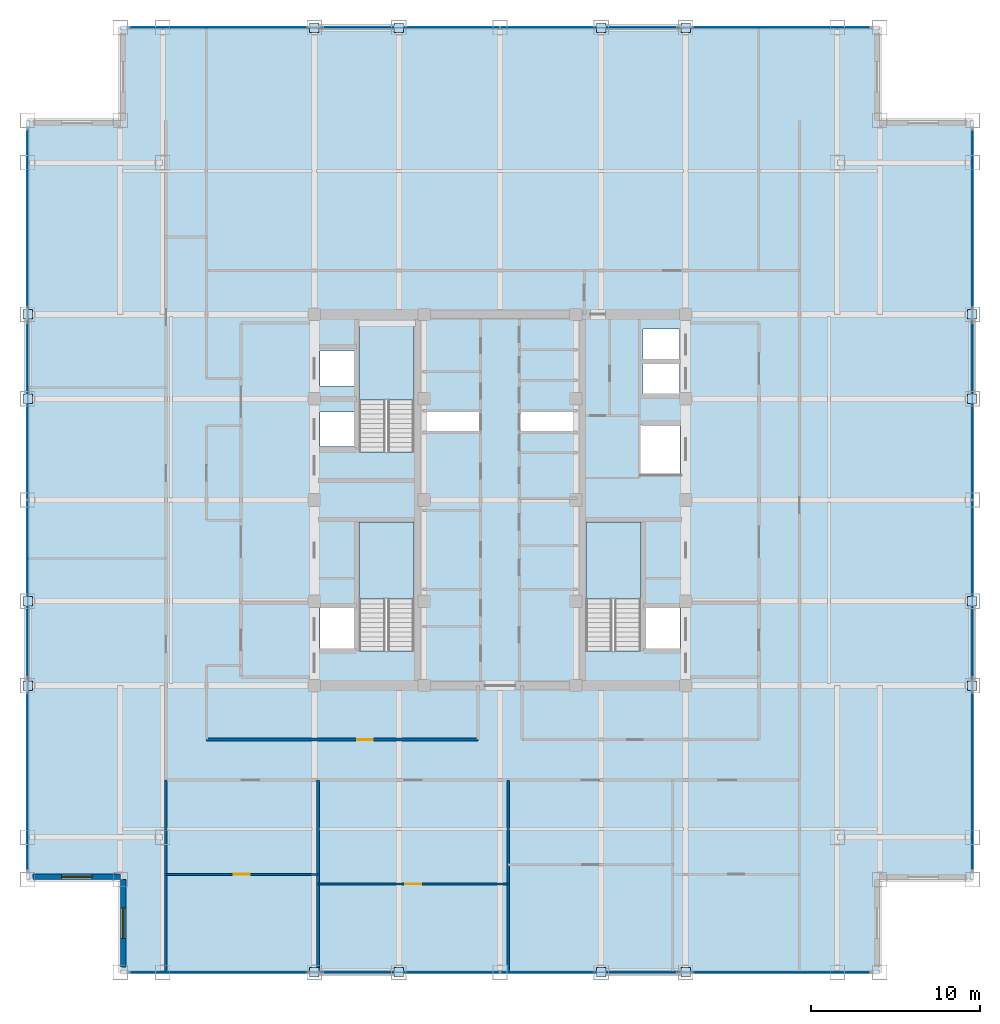
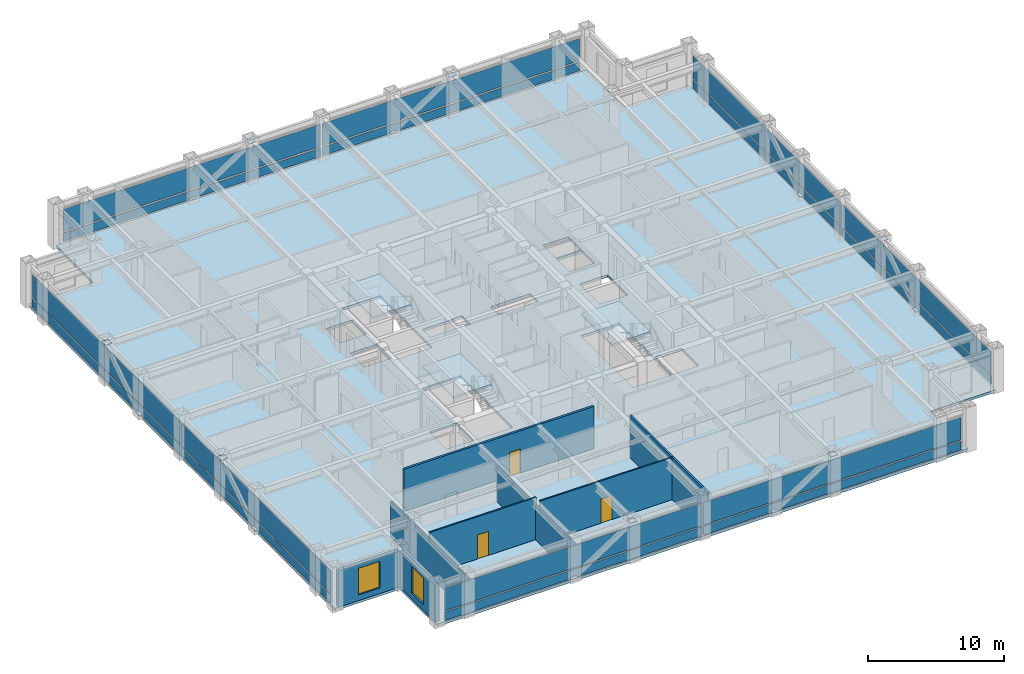
# One storey, part 17 of 22: 32 plates, 8 walls, 4 slabs, 3 doors, 2 windows, 5 openings, 7 elements without a shape of their own.
"""IFC4 building model written with IfcOpenShell, lengths in metres."""

from ifc_helpers import new_model, si_unit, direction, frame, frame_2d, origin, origin_2d, place, context, subcontext, project, spatial, polyline, rectangle, outline, extrude, source, transform, mapped, material, layer, layer_set, type_object, element, fill, aggregate, save


model = new_model("IFC4")

# Units and contexts
model_context = context("Model", 3, precision=1e-05, world=origin(), true_north=direction((0.0, 1.0)))
body_context = subcontext(model_context, "Body", "Model", "MODEL_VIEW")
ifc_project = project(units=[si_unit("LENGTHUNIT", "METRE"), si_unit("AREAUNIT", "SQUARE_METRE"), si_unit("VOLUMEUNIT", "CUBIC_METRE"), si_unit("PLANEANGLEUNIT", "RADIAN"), si_unit("MASSUNIT", "GRAM", prefix="KILO")], contexts=[model_context])

# Site, building, storey
site_placement = place(None, origin())
site = spatial("IfcSite", under=ifc_project, at=site_placement, CompositionType="ELEMENT")
building_placement = place(site_placement, origin())
building = spatial("IfcBuilding", under=site, at=building_placement, Name="Khorayat Bourse Tower", CompositionType="ELEMENT")
storey_placement = place(building_placement, frame((0.0, 0.0, 297.5)))
storey = spatial("IfcBuildingStorey", under=building, at=storey_placement, Name="L70", CompositionType="ELEMENT", Elevation=297.5)

# Stair, slab
ifc_material_1 = material(Name="Concrete C40/50", Category="concrete")
stair_type = type_object("IfcStairType", Name="STR-CORE-1550", PredefinedType="HALF_TURN_STAIR", material=ifc_material_1)
stair_1_placement = place(storey_placement, origin())
stair_1 = element("IfcStair", 1, at=stair_1_placement, inside=storey, type_object=stair_type, Name="L70 Exit Stair ST-1", PredefinedType="HALF_TURN_STAIR")
ifc_layer_1 = layer(ifc_material_1, 0.199951171875)
ifc_layer_set_1 = layer_set([ifc_layer_1], Name="Concrete C40/50")
slab_type_1 = type_object("IfcSlabType", Name="SLB-LANDING-200", PredefinedType="LANDING", material=ifc_layer_set_1)
slab_1_placement = place(storey_placement, frame((0.0, 0.0, 1.800048828125)))
slab_1 = element("IfcSlab", 2, at=slab_1_placement, type_object=slab_type_1, Name="ST-1 landing 1", PredefinedType="LANDING", context=body_context, shape_type="SweptSolid", body=[
    extrude(outline(polyline([(-5.10009765625, -5.8701171875), (-5.10009765625, -1.300048828125), (-8.35009765625, -1.300048828125), (-8.35009765625, -5.8701171875), (-5.10009765625, -5.8701171875)])), origin(), (0.0, 0.0, 1.0), 0.199951171875),
])
aggregate(stair_1, [slab_1])

stair_2_placement = place(storey_placement, origin())
stair_2 = element("IfcStair", 3, at=stair_2_placement, inside=storey, type_object=stair_type, Name="L70 Exit Stair ST-2", PredefinedType="HALF_TURN_STAIR")
slab_2_placement = place(storey_placement, frame((0.0, 0.0, 1.800048828125)))
slab_2 = element("IfcSlab", 4, at=slab_2_placement, type_object=slab_type_1, Name="ST-2 landing 1", PredefinedType="LANDING", context=body_context, shape_type="SweptSolid", body=[
    extrude(outline(polyline([(-5.10009765625, 5.929931640625), (-5.10009765625, 10.5), (-8.35009765625, 10.5), (-8.35009765625, 5.929931640625), (-5.10009765625, 5.929931640625)])), origin(), (0.0, 0.0, 1.0), 0.199951171875),
])
aggregate(stair_2, [slab_2])

stair_3_placement = place(storey_placement, origin())
stair_3 = element("IfcStair", 5, at=stair_3_placement, inside=storey, type_object=stair_type, Name="L70 Exit Stair ST-3", PredefinedType="HALF_TURN_STAIR")
slab_3_placement = place(storey_placement, frame((0.0, 0.0, 1.800048828125)))
slab_3 = element("IfcSlab", 6, at=slab_3_placement, type_object=slab_type_1, Name="ST-3 landing 1", PredefinedType="LANDING", context=body_context, shape_type="SweptSolid", body=[
    extrude(outline(polyline([(8.35009765625, -5.8701171875), (8.35009765625, -1.300048828125), (5.10009765625, -1.300048828125), (5.10009765625, -5.8701171875), (8.35009765625, -5.8701171875)])), origin(), (0.0, 0.0, 1.0), 0.199951171875),
])
aggregate(stair_3, [slab_3])

# Slab
ifc_layer_2 = layer(ifc_material_1, 0.219970703125)
ifc_layer_set_2 = layer_set([ifc_layer_2], Name="Concrete C40/50")
slab_type_2 = type_object("IfcSlabType", Name="SLB-OFFICE-220", PredefinedType="FLOOR", material=ifc_layer_set_2)
slab_4_placement = place(storey_placement, frame((0.0, 0.0, -0.219970703125)))
element("IfcSlab", 7, at=slab_4_placement, inside=storey, type_object=slab_type_2, Name="L70 Main Floor Slab", PredefinedType="FLOOR", context=body_context, shape_type="SweptSolid", body=[
    extrude(outline(polyline([(-22.5, -28.0), (22.5, -28.0), (22.5, -22.5), (28.0, -22.5), (28.0, 22.5), (22.5, 22.5), (22.5, 28.0), (-22.5, 28.0), (-22.5, 22.5), (-28.0, 22.5), (-28.0, -22.5), (-22.5, -22.5), (-22.5, -28.0)]), holes=[polyline([(-8.35009765625, -8.945068359375), (-5.10009765625, -8.945068359375), (-5.10009765625, -1.300048828125), (-8.35009765625, -1.300048828125), (-8.35009765625, -8.945068359375)]), polyline([(-8.35009765625, 2.85498046875), (-5.10009765625, 2.85498046875), (-5.10009765625, 10.5), (-8.35009765625, 10.5), (-8.35009765625, 2.85498046875)]), polyline([(5.10009765625, -8.945068359375), (8.35009765625, -8.945068359375), (8.35009765625, -1.300048828125), (5.10009765625, -1.300048828125), (5.10009765625, -8.945068359375)]), polyline([(-10.679931640625, 3.169921875), (-8.419921875, 3.169921875), (-8.419921875, 5.22998046875), (-10.679931640625, 5.22998046875), (-10.679931640625, 3.169921875)]), polyline([(-10.679931640625, 6.77001953125), (-8.419921875, 6.77001953125), (-8.419921875, 8.830078125), (-10.679931640625, 8.830078125), (-10.679931640625, 6.77001953125)]), polyline([(8.469970703125, 6.27001953125), (10.6298828125, 6.27001953125), (10.6298828125, 8.1298828125), (8.469970703125, 8.1298828125), (8.469970703125, 6.27001953125)]), polyline([(8.469970703125, 8.27001953125), (10.6298828125, 8.27001953125), (10.6298828125, 10.1298828125), (8.469970703125, 10.1298828125), (8.469970703125, 8.27001953125)]), polyline([(-10.679931640625, -8.929931640625), (-8.419921875, -8.929931640625), (-8.419921875, -6.3701171875), (-10.679931640625, -6.3701171875), (-10.679931640625, -8.929931640625)]), polyline([(8.419921875, -8.929931640625), (10.679931640625, -8.929931640625), (10.679931640625, -6.3701171875), (8.419921875, -6.3701171875), (8.419921875, -8.929931640625)]), polyline([(8.320068359375, 1.52001953125), (10.679931640625, 1.52001953125), (10.679931640625, 4.47998046875), (8.320068359375, 4.47998046875), (8.320068359375, 1.52001953125)]), polyline([(-4.56005859375, 4.080078125), (-1.18994140625, 4.080078125), (-1.18994140625, 5.219970703125), (-4.56005859375, 5.219970703125), (-4.56005859375, 4.080078125)]), polyline([(1.18994140625, 4.080078125), (4.56005859375, 4.080078125), (4.56005859375, 5.219970703125), (1.18994140625, 5.219970703125), (1.18994140625, 4.080078125)])]), origin(), (0.0, 0.0, 1.0), 0.219970703125),
])

# Plates
ifc_material_2 = material(Name="Steel EN 10025-2 S355J2", Category="steel")
ifc_layer_3 = layer(ifc_material_2, 0.02490234375)
ifc_layer_set_3 = layer_set([ifc_layer_3], Name="Steel EN 10025-2 S355J2")
plate_type_1 = type_object("IfcPlateType", Name="PLT-ENDCAP-25", PredefinedType="SHEET", material=ifc_layer_set_3)
shared_shape_1 = source(origin(), body_context, "Body", "SweptSolid", [
    extrude(rectangle(XDim=0.56005859375, YDim=0.56005859375, at=origin_2d()), origin(), (0.0, 0.0, 1.0), 0.02490234375),
])
for number, where, z_axis, x_axis, name in (
    (8, (-11.0, -28.0, 0.237548828125), (0.0, 0.0, 1.0), (1.0, 0.0, 0.0), "L70 Perimeter Brace End Plate 001"),
    (9, (-6.0, -28.0, 3.517578125), (0.0, 0.0, 1.0), (1.0, 0.0, 0.0), "L70 Perimeter Brace End Plate 002"),
    (10, (6.0, -28.0, 0.237548828125), (0.0, 0.0, 1.0), (1.0, 0.0, 0.0), "L70 Perimeter Brace End Plate 003"),
    (11, (11.0, -28.0, 3.517578125), (0.0, 0.0, 1.0), (1.0, 0.0, 0.0), "L70 Perimeter Brace End Plate 004"),
    (12, (-11.0, 28.0, 0.237548828125), (0.0, 0.0, 1.0), (1.0, 0.0, 0.0), "L70 Perimeter Brace End Plate 005"),
    (13, (-6.0, 28.0, 3.517578125), (0.0, 0.0, 1.0), (1.0, 0.0, 0.0), "L70 Perimeter Brace End Plate 006"),
    (14, (6.0, 28.0, 0.237548828125), (0.0, 0.0, 1.0), (1.0, 0.0, 0.0), "L70 Perimeter Brace End Plate 007"),
    (15, (11.0, 28.0, 3.517578125), (0.0, 0.0, 1.0), (1.0, 0.0, 0.0), "L70 Perimeter Brace End Plate 008"),
    (16, (-28.0, -11.0, 0.237548828125), (0.0, 0.0, 1.0), (1.0, 0.0, 0.0), "L70 Perimeter Brace End Plate 009"),
    (17, (-28.0, -6.0, 3.517578125), (0.0, 0.0, 1.0), (1.0, 0.0, 0.0), "L70 Perimeter Brace End Plate 010"),
    (18, (-28.0, 6.0, 0.237548828125), (0.0, 0.0, 1.0), (1.0, 0.0, 0.0), "L70 Perimeter Brace End Plate 011"),
    (19, (-28.0, 11.0, 3.517578125), (0.0, 0.0, 1.0), (1.0, 0.0, 0.0), "L70 Perimeter Brace End Plate 012"),
    (20, (28.0, -11.0, 0.237548828125), (0.0, 0.0, 1.0), (1.0, 0.0, 0.0), "L70 Perimeter Brace End Plate 013"),
    (21, (28.0, -6.0, 3.517578125), (0.0, 0.0, 1.0), (1.0, 0.0, 0.0), "L70 Perimeter Brace End Plate 014"),
    (22, (28.0, 6.0, 0.237548828125), (0.0, 0.0, 1.0), (1.0, 0.0, 0.0), "L70 Perimeter Brace End Plate 015"),
    (23, (28.0, 11.0, 3.517578125), (0.0, 0.0, 1.0), (1.0, 0.0, 0.0), "L70 Perimeter Brace End Plate 016"),
):
    element("IfcPlate", number, at=place(storey_placement, frame(where, z_axis=z_axis, x_axis=x_axis)), inside=storey, type_object=plate_type_1, Name=name, PredefinedType="SHEET", context=body_context, shape_type="MappedRepresentation", body=[
        mapped(shared_shape_1, transform((0.0, 0.0, 0.0), scale=1.0)),
    ])

# Curtain wall, plates
ifc_material_3 = material(Name="Aluminium EN AW-6063 T6", Category="aluminium")
curtain_wall_type = type_object("IfcCurtainWallType", Name="CW-SYS-04", PredefinedType="NOTDEFINED", material=ifc_material_3)
curtain_wall_1_placement = place(storey_placement, origin())
curtain_wall_1 = element("IfcCurtainWall", 24, at=curtain_wall_1_placement, inside=storey, type_object=curtain_wall_type, Name="L70 Curtain Wall CW-L70-S1", PredefinedType="NOTDEFINED")
ifc_material_4 = material(Name="Honed desert limestone insulated spandrel", Category="masonry")
ifc_layer_4 = layer(ifc_material_4, 0.06494140625)
ifc_layer_set_4 = layer_set([ifc_layer_4], Name="Honed desert limestone insulated spandrel")
plate_type_2 = type_object("IfcPlateType", Name="CWP-SPAND-03", PredefinedType="CURTAIN_PANEL", material=ifc_layer_set_4)
shared_shape_2 = source(origin(), body_context, "Body", "SweptSolid", [
    extrude(rectangle(XDim=21.820068359375, YDim=0.06494140625, at=origin_2d()), origin(), (0.0, 0.0, 1.0), 0.77001953125),
])
plate_1_placement = place(storey_placement, frame((-10.969970703125, -28.0, 0.119873046875), z_axis=(0.0, 0.0, 1.0), x_axis=(1.0, 0.0, 0.0)))
plate_1 = element("IfcPlate", 25, at=plate_1_placement, type_object=plate_type_2, Name="CW-L70-S1 Spandrel Panel 1-1", PredefinedType="CURTAIN_PANEL", context=body_context, shape_type="MappedRepresentation", body=[
    mapped(shared_shape_2, transform((0.0, 0.0, 0.0), scale=1.0)),
])
plate_2_placement = place(storey_placement, frame((10.969970703125, -28.0, 0.119873046875), z_axis=(0.0, 0.0, 1.0), x_axis=(1.0, 0.0, 0.0)))
plate_2 = element("IfcPlate", 26, at=plate_2_placement, type_object=plate_type_2, Name="CW-L70-S1 Spandrel Panel 2-1", PredefinedType="CURTAIN_PANEL", context=body_context, shape_type="MappedRepresentation", body=[
    mapped(shared_shape_2, transform((0.0, 0.0, 0.0), scale=1.0)),
])

curtain_wall_2_placement = place(storey_placement, origin())
curtain_wall_2 = element("IfcCurtainWall", 27, at=curtain_wall_2_placement, inside=storey, type_object=curtain_wall_type, Name="L70 Curtain Wall CW-L70-N1", PredefinedType="NOTDEFINED")
plate_3_placement = place(storey_placement, frame((-10.969970703125, 28.0, 0.119873046875), z_axis=(0.0, 0.0, 1.0), x_axis=(1.0, 0.0, 0.0)))
plate_3 = element("IfcPlate", 28, at=plate_3_placement, type_object=plate_type_2, Name="CW-L70-N1 Spandrel Panel 1-1", PredefinedType="CURTAIN_PANEL", context=body_context, shape_type="MappedRepresentation", body=[
    mapped(shared_shape_2, transform((0.0, 0.0, 0.0), scale=1.0)),
])
plate_4_placement = place(storey_placement, frame((10.969970703125, 28.0, 0.119873046875), z_axis=(0.0, 0.0, 1.0), x_axis=(1.0, 0.0, 0.0)))
plate_4 = element("IfcPlate", 29, at=plate_4_placement, type_object=plate_type_2, Name="CW-L70-N1 Spandrel Panel 2-1", PredefinedType="CURTAIN_PANEL", context=body_context, shape_type="MappedRepresentation", body=[
    mapped(shared_shape_2, transform((0.0, 0.0, 0.0), scale=1.0)),
])

curtain_wall_3_placement = place(storey_placement, origin())
curtain_wall_3 = element("IfcCurtainWall", 30, at=curtain_wall_3_placement, inside=storey, type_object=curtain_wall_type, Name="L70 Curtain Wall CW-L70-W1", PredefinedType="NOTDEFINED")
plate_5_placement = place(storey_placement, frame((-28.0, -10.969970703125, 0.119873046875), z_axis=(0.0, 0.0, 1.0), x_axis=(0.0, 1.0, 0.0)))
plate_5 = element("IfcPlate", 31, at=plate_5_placement, type_object=plate_type_2, Name="CW-L70-W1 Spandrel Panel 1-1", PredefinedType="CURTAIN_PANEL", context=body_context, shape_type="MappedRepresentation", body=[
    mapped(shared_shape_2, transform((0.0, 0.0, 0.0), scale=1.0)),
])
plate_6_placement = place(storey_placement, frame((-28.0, 10.969970703125, 0.119873046875), z_axis=(0.0, 0.0, 1.0), x_axis=(0.0, 1.0, 0.0)))
plate_6 = element("IfcPlate", 32, at=plate_6_placement, type_object=plate_type_2, Name="CW-L70-W1 Spandrel Panel 2-1", PredefinedType="CURTAIN_PANEL", context=body_context, shape_type="MappedRepresentation", body=[
    mapped(shared_shape_2, transform((0.0, 0.0, 0.0), scale=1.0)),
])

curtain_wall_4_placement = place(storey_placement, origin())
curtain_wall_4 = element("IfcCurtainWall", 33, at=curtain_wall_4_placement, inside=storey, type_object=curtain_wall_type, Name="L70 Curtain Wall CW-L70-E1", PredefinedType="NOTDEFINED")
plate_7_placement = place(storey_placement, frame((28.0, -10.969970703125, 0.119873046875), z_axis=(0.0, 0.0, 1.0), x_axis=(0.0, 1.0, 0.0)))
plate_7 = element("IfcPlate", 34, at=plate_7_placement, type_object=plate_type_2, Name="CW-L70-E1 Spandrel Panel 1-1", PredefinedType="CURTAIN_PANEL", context=body_context, shape_type="MappedRepresentation", body=[
    mapped(shared_shape_2, transform((0.0, 0.0, 0.0), scale=1.0)),
])
plate_8_placement = place(storey_placement, frame((28.0, 10.969970703125, 0.119873046875), z_axis=(0.0, 0.0, 1.0), x_axis=(0.0, 1.0, 0.0)))
plate_8 = element("IfcPlate", 35, at=plate_8_placement, type_object=plate_type_2, Name="CW-L70-E1 Spandrel Panel 2-1", PredefinedType="CURTAIN_PANEL", context=body_context, shape_type="MappedRepresentation", body=[
    mapped(shared_shape_2, transform((0.0, 0.0, 0.0), scale=1.0)),
])

# Plate
ifc_material_5 = material(Name="Low-E solar-control laminated double glazing", Category="glass")
ifc_layer_5 = layer(ifc_material_5, 0.0419921875)
ifc_layer_set_5 = layer_set([ifc_layer_5], Name="Low-E solar-control laminated double glazing")
plate_type_3 = type_object("IfcPlateType", Name="CWP-FACET-02", PredefinedType="CURTAIN_PANEL", material=ifc_layer_set_5)
shared_shape_3 = source(origin(), body_context, "Body", "SweptSolid", [
    extrude(rectangle(XDim=21.820068359375, YDim=0.0419921875, at=origin_2d()), origin(), (0.0, 0.0, 1.0), 2.0),
])
plate_9_placement = place(storey_placement, frame((-10.969970703125, -28.0, 1.010009765625), z_axis=(0.0, 0.0, 1.0), x_axis=(1.0, 0.0, 0.0)))
plate_9 = element("IfcPlate", 36, at=plate_9_placement, type_object=plate_type_3, Name="CW-L70-S1 Vision Panel 1-2", PredefinedType="CURTAIN_PANEL", context=body_context, shape_type="MappedRepresentation", body=[
    mapped(shared_shape_3, transform((0.0, 0.0, 0.0), scale=1.0)),
])

plate_10_placement = place(storey_placement, frame((10.969970703125, -28.0, 1.010009765625), z_axis=(0.0, 0.0, 1.0), x_axis=(1.0, 0.0, 0.0)))
plate_10 = element("IfcPlate", 37, at=plate_10_placement, type_object=plate_type_3, Name="CW-L70-S1 Vision Panel 2-2", PredefinedType="CURTAIN_PANEL", context=body_context, shape_type="MappedRepresentation", body=[
    mapped(shared_shape_3, transform((0.0, 0.0, 0.0), scale=1.0)),
])

aggregate(curtain_wall_1, [plate_1, plate_9, plate_2, plate_10])

plate_11_placement = place(storey_placement, frame((-10.969970703125, 28.0, 1.010009765625), z_axis=(0.0, 0.0, 1.0), x_axis=(1.0, 0.0, 0.0)))
plate_11 = element("IfcPlate", 38, at=plate_11_placement, type_object=plate_type_3, Name="CW-L70-N1 Vision Panel 1-2", PredefinedType="CURTAIN_PANEL", context=body_context, shape_type="MappedRepresentation", body=[
    mapped(shared_shape_3, transform((0.0, 0.0, 0.0), scale=1.0)),
])

plate_12_placement = place(storey_placement, frame((10.969970703125, 28.0, 1.010009765625), z_axis=(0.0, 0.0, 1.0), x_axis=(1.0, 0.0, 0.0)))
plate_12 = element("IfcPlate", 39, at=plate_12_placement, type_object=plate_type_3, Name="CW-L70-N1 Vision Panel 2-2", PredefinedType="CURTAIN_PANEL", context=body_context, shape_type="MappedRepresentation", body=[
    mapped(shared_shape_3, transform((0.0, 0.0, 0.0), scale=1.0)),
])

aggregate(curtain_wall_2, [plate_3, plate_11, plate_4, plate_12])

plate_13_placement = place(storey_placement, frame((-28.0, -10.969970703125, 1.010009765625), z_axis=(0.0, 0.0, 1.0), x_axis=(0.0, 1.0, 0.0)))
plate_13 = element("IfcPlate", 40, at=plate_13_placement, type_object=plate_type_3, Name="CW-L70-W1 Vision Panel 1-2", PredefinedType="CURTAIN_PANEL", context=body_context, shape_type="MappedRepresentation", body=[
    mapped(shared_shape_3, transform((0.0, 0.0, 0.0), scale=1.0)),
])

plate_14_placement = place(storey_placement, frame((-28.0, 10.969970703125, 1.010009765625), z_axis=(0.0, 0.0, 1.0), x_axis=(0.0, 1.0, 0.0)))
plate_14 = element("IfcPlate", 41, at=plate_14_placement, type_object=plate_type_3, Name="CW-L70-W1 Vision Panel 2-2", PredefinedType="CURTAIN_PANEL", context=body_context, shape_type="MappedRepresentation", body=[
    mapped(shared_shape_3, transform((0.0, 0.0, 0.0), scale=1.0)),
])

aggregate(curtain_wall_3, [plate_5, plate_13, plate_6, plate_14])

plate_15_placement = place(storey_placement, frame((28.0, -10.969970703125, 1.010009765625), z_axis=(0.0, 0.0, 1.0), x_axis=(0.0, 1.0, 0.0)))
plate_15 = element("IfcPlate", 42, at=plate_15_placement, type_object=plate_type_3, Name="CW-L70-E1 Vision Panel 1-2", PredefinedType="CURTAIN_PANEL", context=body_context, shape_type="MappedRepresentation", body=[
    mapped(shared_shape_3, transform((0.0, 0.0, 0.0), scale=1.0)),
])

plate_16_placement = place(storey_placement, frame((28.0, 10.969970703125, 1.010009765625), z_axis=(0.0, 0.0, 1.0), x_axis=(0.0, 1.0, 0.0)))
plate_16 = element("IfcPlate", 43, at=plate_16_placement, type_object=plate_type_3, Name="CW-L70-E1 Vision Panel 2-2", PredefinedType="CURTAIN_PANEL", context=body_context, shape_type="MappedRepresentation", body=[
    mapped(shared_shape_3, transform((0.0, 0.0, 0.0), scale=1.0)),
])

aggregate(curtain_wall_4, [plate_7, plate_15, plate_8, plate_16])

# Wall, opening, window
ifc_material_6 = material(Name="Precast concrete C45/55", Category="concrete")
ifc_layer_6 = layer(ifc_material_6, 0.320068359375)
ifc_layer_set_6 = layer_set([ifc_layer_6], Name="Precast concrete C45/55")
wall_type_1 = type_object("IfcWallType", Name="WAL-EXT-STONE-320", PredefinedType="STANDARD", material=ifc_layer_set_6)
shared_shape_4 = source(origin(), body_context, "Body", "SweptSolid", [
    extrude(rectangle(XDim=5.179931640625, YDim=0.320068359375, at=frame_2d((2.58984375, 0.0))), origin(), (0.0, 0.0, 1.0), 3.23095703125),
])
wall_1_placement = place(storey_placement, frame((-22.5, -22.340087890625, 0.0), z_axis=(0.0, 0.0, 1.0), x_axis=(-1.0, 0.0, 0.0)))
wall_1 = element("IfcWall", 44, at=wall_1_placement, inside=storey, type_object=wall_type_1, Name="L70 Re-Entrant Notch Limestone Wall SW-H", PredefinedType="STANDARD", context=body_context, shape_type="MappedRepresentation", body=[
    mapped(shared_shape_4, transform((0.0, 0.0, 0.0), scale=1.0)),
])
shared_shape_5 = source(origin(), body_context, "Body", "SweptSolid", [
    extrude(rectangle(XDim=1.800048828125, YDim=2.39990234375, at=frame_2d((0.89990234375, 1.199951171875))), frame((0.0, 0.169921875, 0.0), z_axis=(0.0, -1.0, 0.0), x_axis=(1.0, 0.0, 0.0)), (0.0, 0.0, 1.0), 0.340087890625),
])
opening_1_placement = place(wall_1_placement, frame((1.68994140625, 0.0, 0.5)))
opening_1 = element("IfcOpeningElement", 45, at=opening_1_placement, cuts=wall_1, Name="Opening WN-04", PredefinedType="OPENING", context=body_context, shape_type="MappedRepresentation", body=[
    mapped(shared_shape_5, transform((0.0, 0.0, 0.0), scale=1.0)),
])
ifc_material_7 = material(Name="Low-E acoustic laminated double glazing", Category="glass")
window_type = type_object("IfcWindowType", Name="WIN-NOTCH-1800x2400", PartitioningType="SINGLE_PANEL", PredefinedType="WINDOW", material=ifc_material_7)
shared_shape_6 = source(origin(), body_context, "Body", "SweptSolid", [
    extrude(rectangle(XDim=1.800048828125, YDim=2.39990234375, at=frame_2d((0.89990234375, 1.199951171875))), frame((0.0, 0.030029296875, 0.0), z_axis=(0.0, -1.0, 0.0), x_axis=(1.0, 0.0, 0.0)), (0.0, 0.0, 1.0), 0.06005859375),
])
window_1_placement = place(opening_1_placement, origin())
window_1 = element("IfcWindow", 46, at=window_1_placement, inside=storey, type_object=window_type, Name="L70 Facade Window 1", OverallHeight=2.39990234375, OverallWidth=1.800048828125, PartitioningType="SINGLE_PANEL", PredefinedType="WINDOW", context=body_context, shape_type="MappedRepresentation", body=[
    mapped(shared_shape_6, transform((0.0, 0.0, 0.0), scale=1.0)),
])
fill(opening_1, window_1)

wall_2_placement = place(storey_placement, frame((-22.340087890625, -27.679931640625, 0.0), z_axis=(0.0, 0.0, 1.0), x_axis=(0.0, 1.0, 0.0)))
wall_2 = element("IfcWall", 47, at=wall_2_placement, inside=storey, type_object=wall_type_1, Name="L70 Re-Entrant Notch Limestone Wall SW-V", PredefinedType="STANDARD", context=body_context, shape_type="MappedRepresentation", body=[
    mapped(shared_shape_4, transform((0.0, 0.0, 0.0), scale=1.0)),
])
opening_2_placement = place(wall_2_placement, frame((1.68994140625, 0.0, 0.5)))
opening_2 = element("IfcOpeningElement", 48, at=opening_2_placement, cuts=wall_2, Name="Opening WN-04", PredefinedType="OPENING", context=body_context, shape_type="MappedRepresentation", body=[
    mapped(shared_shape_5, transform((0.0, 0.0, 0.0), scale=1.0)),
])
window_2_placement = place(opening_2_placement, origin())
window_2 = element("IfcWindow", 49, at=window_2_placement, inside=storey, type_object=window_type, Name="L70 Facade Window 1", OverallHeight=2.39990234375, OverallWidth=1.800048828125, PartitioningType="SINGLE_PANEL", PredefinedType="WINDOW", context=body_context, shape_type="MappedRepresentation", body=[
    mapped(shared_shape_6, transform((0.0, 0.0, 0.0), scale=1.0)),
])
fill(opening_2, window_2)

# Wall, opening, door
ifc_material_8 = material(Name="Gypsum plasterboard acoustic stud wall")
ifc_layer_7 = layer(ifc_material_8, 0.179931640625)
ifc_layer_set_7 = layer_set([ifc_layer_7], Name="Gypsum plasterboard acoustic stud wall")
wall_type_2 = type_object("IfcWallType", Name="WAL-PART-CORR-180", PredefinedType="PARTITIONING", material=ifc_layer_set_7)
shared_shape_7 = source(origin(), body_context, "Body", "SweptSolid", [
    extrude(rectangle(XDim=16.099853515625, YDim=0.179931640625, at=frame_2d((8.0498046875, 0.0))), origin(), (0.0, 0.0, 1.0), 3.780029296875),
])
wall_3_placement = place(storey_placement, frame((-17.39990234375, -14.199951171875, 0.0), z_axis=(0.0, 0.0, 1.0), x_axis=(1.0, 0.0, 0.0)))
wall_3 = element("IfcWall", 50, at=wall_3_placement, inside=storey, type_object=wall_type_2, Name="L70 Partition WAL-L70-PKSW-S", PredefinedType="PARTITIONING", context=body_context, shape_type="MappedRepresentation", body=[
    mapped(shared_shape_7, transform((0.0, 0.0, 0.0), scale=1.0)),
])
shared_shape_8 = source(origin(), body_context, "Body", "SweptSolid", [
    extrude(rectangle(XDim=0.89990234375, YDim=2.14990234375, at=frame_2d((0.449951171875, 1.074951171875))), frame((0.0, 0.099853515625, 0.0), z_axis=(0.0, -1.0, 0.0), x_axis=(1.0, 0.0, 0.0)), (0.0, 0.0, 1.0), 0.199951171875),
])
opening_3_placement = place(wall_3_placement, frame((8.949951171875, 0.0, 0.0)))
opening_3 = element("IfcOpeningElement", 51, at=opening_3_placement, cuts=wall_3, Name="Opening DI-06", PredefinedType="OPENING", context=body_context, shape_type="MappedRepresentation", body=[
    mapped(shared_shape_8, transform((0.0, 0.0, 0.0), scale=1.0)),
])
ifc_material_9 = material(Name="Moisture-resistant laminate washroom door")
door_type_1 = type_object("IfcDoorType", Name="DR-INT-WC-900", OperationType="NOTDEFINED", PredefinedType="DOOR", material=ifc_material_9)
shared_shape_9 = source(origin(), body_context, "Body", "SweptSolid", [
    extrude(rectangle(XDim=0.89990234375, YDim=2.14990234375, at=frame_2d((0.449951171875, 1.074951171875))), frame((0.0, 0.02490234375, 0.0), z_axis=(0.0, -1.0, 0.0), x_axis=(1.0, 0.0, 0.0)), (0.0, 0.0, 1.0), 0.050048828125),
])
door_1_placement = place(opening_3_placement, origin())
door_1 = element("IfcDoor", 52, at=door_1_placement, inside=storey, type_object=door_type_1, Name="L70 SW Inboard Pantry Door", OperationType="SINGLE_SWING_LEFT", OverallHeight=2.14990234375, OverallWidth=0.89990234375, PredefinedType="DOOR", context=body_context, shape_type="MappedRepresentation", body=[
    mapped(shared_shape_9, transform((0.0, 0.0, 0.0), scale=1.0)),
])
fill(opening_3, door_1)

ifc_material_10 = material(Name="Gypsum plasterboard partition")
ifc_layer_8 = layer(ifc_material_10, 0.125)
ifc_layer_set_8 = layer_set([ifc_layer_8], Name="Gypsum plasterboard partition")
wall_type_3 = type_object("IfcWallType", Name="WAL-PART-ROOM-125", PredefinedType="PARTITIONING", material=ifc_layer_set_8)
shared_shape_10 = source(origin(), body_context, "Body", "SweptSolid", [
    extrude(rectangle(XDim=9.011962890625, YDim=0.125, at=frame_2d((4.505859375, 0.0))), origin(), (0.0, 0.0, 1.0), 3.780029296875),
])
wall_4_placement = place(storey_placement, frame((-19.800048828125, -22.18603515625, 0.0), z_axis=(0.0, 0.0, 1.0), x_axis=(1.0, 0.0, 0.0)))
wall_4 = element("IfcWall", 53, at=wall_4_placement, inside=storey, type_object=wall_type_3, Name="L70 Partition WAL-L70-SDP-1", PredefinedType="PARTITIONING", context=body_context, shape_type="MappedRepresentation", body=[
    mapped(shared_shape_10, transform((0.0, 0.0, 0.0), scale=1.0)),
])
shared_shape_11 = source(origin(), body_context, "Body", "SweptSolid", [
    extrude(rectangle(XDim=0.949951171875, YDim=2.14990234375, at=frame_2d((0.47509765625, 1.074951171875))), frame((0.0, 0.072509765625, 0.0), z_axis=(0.0, -1.0, 0.0), x_axis=(1.0, 0.0, 0.0)), (0.0, 0.0, 1.0), 0.14501953125),
])
opening_4_placement = place(wall_4_placement, frame((4.031005859375, 0.0, 0.0)))
opening_4 = element("IfcOpeningElement", 54, at=opening_4_placement, cuts=wall_4, Name="Opening DI-05", PredefinedType="OPENING", context=body_context, shape_type="MappedRepresentation", body=[
    mapped(shared_shape_11, transform((0.0, 0.0, 0.0), scale=1.0)),
])
ifc_material_11 = material(Name="Acoustic oak veneer office door")
door_type_2 = type_object("IfcDoorType", Name="DR-INT-OFFICE-950", OperationType="NOTDEFINED", PredefinedType="DOOR", material=ifc_material_11)
shared_shape_12 = source(origin(), body_context, "Body", "SweptSolid", [
    extrude(rectangle(XDim=0.949951171875, YDim=2.14990234375, at=frame_2d((0.47509765625, 1.074951171875))), frame((0.0, 0.02490234375, 0.0), z_axis=(0.0, -1.0, 0.0), x_axis=(1.0, 0.0, 0.0)), (0.0, 0.0, 1.0), 0.050048828125),
])
door_2_placement = place(opening_4_placement, origin())
door_2 = element("IfcDoor", 55, at=door_2_placement, inside=storey, type_object=door_type_2, Name="L70 Market Committee Conference Room S1B Door", OperationType="SINGLE_SWING_RIGHT", OverallHeight=2.14990234375, OverallWidth=0.949951171875, PredefinedType="DOOR", context=body_context, shape_type="MappedRepresentation", body=[
    mapped(shared_shape_12, transform((0.0, 0.0, 0.0), scale=1.0)),
])
fill(opening_4, door_2)

# Wall
ifc_material_12 = material(Name="Gypsum plasterboard twin-frame partition")
ifc_layer_9 = layer(ifc_material_12, 0.14990234375)
ifc_layer_set_9 = layer_set([ifc_layer_9], Name="Gypsum plasterboard twin-frame partition")
wall_type_4 = type_object("IfcWallType", Name="WAL-PART-SUITE-150", PredefinedType="PARTITIONING", material=ifc_layer_set_9)
shared_shape_13 = source(origin(), body_context, "Body", "SweptSolid", [
    extrude(rectangle(XDim=11.39990234375, YDim=0.14990234375, at=frame_2d((5.699951171875, 0.0))), origin(), (0.0, 0.0, 1.0), 3.0849609375),
])
wall_5_placement = place(storey_placement, frame((-10.7880859375, -28.0, 0.0), z_axis=(0.0, 0.0, 1.0), x_axis=(0.0, 1.0, 0.0)))
element("IfcWall", 56, at=wall_5_placement, inside=storey, type_object=wall_type_4, Name="L70 Partition WAL-L70-SDV-1", PredefinedType="PARTITIONING", context=body_context, shape_type="MappedRepresentation", body=[
    mapped(shared_shape_13, transform((0.0, 0.0, 0.0), scale=1.0)),
])

# Wall, opening, door
shared_shape_14 = source(origin(), body_context, "Body", "SweptSolid", [
    extrude(rectangle(XDim=11.26513671875, YDim=0.125, at=frame_2d((5.632568359375, 0.0))), origin(), (0.0, 0.0, 1.0), 3.780029296875),
])
wall_6_placement = place(storey_placement, frame((-10.7880859375, -22.756103515625, 0.0), z_axis=(0.0, 0.0, 1.0), x_axis=(1.0, 0.0, 0.0)))
wall_6 = element("IfcWall", 57, at=wall_6_placement, inside=storey, type_object=wall_type_3, Name="L70 Partition WAL-L70-SDP-2", PredefinedType="PARTITIONING", context=body_context, shape_type="MappedRepresentation", body=[
    mapped(shared_shape_14, transform((0.0, 0.0, 0.0), scale=1.0)),
])
opening_5_placement = place(wall_6_placement, frame((5.157470703125, 0.0, 0.0)))
opening_5 = element("IfcOpeningElement", 58, at=opening_5_placement, cuts=wall_6, Name="Opening DI-05", PredefinedType="OPENING", context=body_context, shape_type="MappedRepresentation", body=[
    mapped(shared_shape_11, transform((0.0, 0.0, 0.0), scale=1.0)),
])
door_3_placement = place(opening_5_placement, origin())
door_3 = element("IfcDoor", 59, at=door_3_placement, inside=storey, type_object=door_type_2, Name="L70 Brokerage Seminar Room S2B Door", OperationType="SINGLE_SWING_LEFT", OverallHeight=2.14990234375, OverallWidth=0.949951171875, PredefinedType="DOOR", context=body_context, shape_type="MappedRepresentation", body=[
    mapped(shared_shape_12, transform((0.0, 0.0, 0.0), scale=1.0)),
])
fill(opening_5, door_3)

# Walls
shared_shape_15 = source(origin(), body_context, "Body", "SweptSolid", [
    extrude(rectangle(XDim=11.39990234375, YDim=0.14990234375, at=frame_2d((5.699951171875, 0.0))), origin(), (0.0, 0.0, 1.0), 3.780029296875),
])
wall_7_placement = place(storey_placement, frame((0.47705078125, -28.0, 0.0), z_axis=(0.0, 0.0, 1.0), x_axis=(0.0, 1.0, 0.0)))
element("IfcWall", 60, at=wall_7_placement, inside=storey, type_object=wall_type_4, Name="L70 Partition WAL-L70-SDV-2", PredefinedType="PARTITIONING", context=body_context, shape_type="MappedRepresentation", body=[
    mapped(shared_shape_15, transform((0.0, 0.0, 0.0), scale=1.0)),
])
shared_shape_16 = source(origin(), body_context, "Body", "SweptSolid", [
    extrude(rectangle(XDim=11.39990234375, YDim=0.14990234375, at=frame_2d((5.699951171875, 0.0))), origin(), (0.0, 0.0, 1.0), 3.1640625),
])
wall_8_placement = place(storey_placement, frame((-19.800048828125, -28.0, 0.0), z_axis=(0.0, 0.0, 1.0), x_axis=(0.0, 1.0, 0.0)))
element("IfcWall", 61, at=wall_8_placement, inside=storey, type_object=wall_type_4, Name="L70 Partition WAL-L70-SCW-END", PredefinedType="PARTITIONING", context=body_context, shape_type="MappedRepresentation", body=[
    mapped(shared_shape_16, transform((0.0, 0.0, 0.0), scale=1.0)),
])

save(model, "model.ifc")
